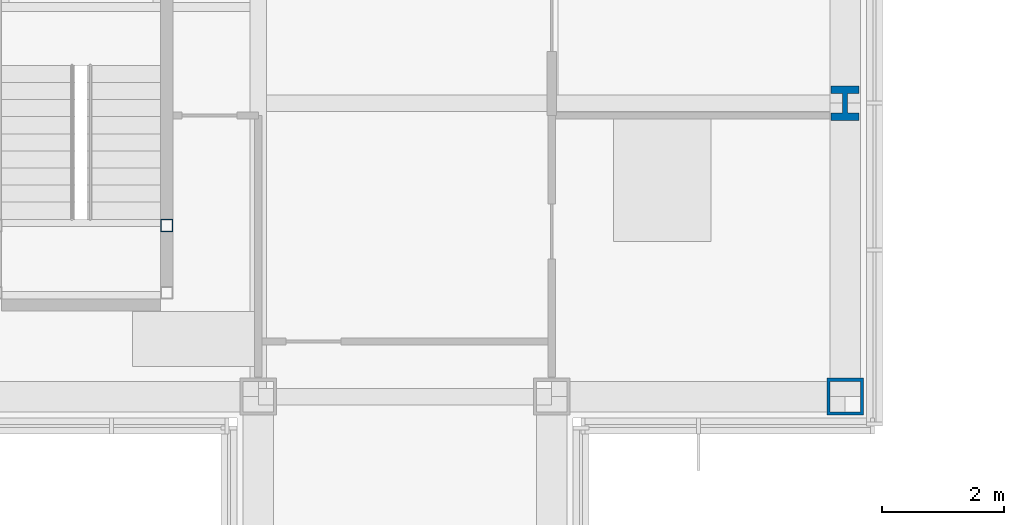
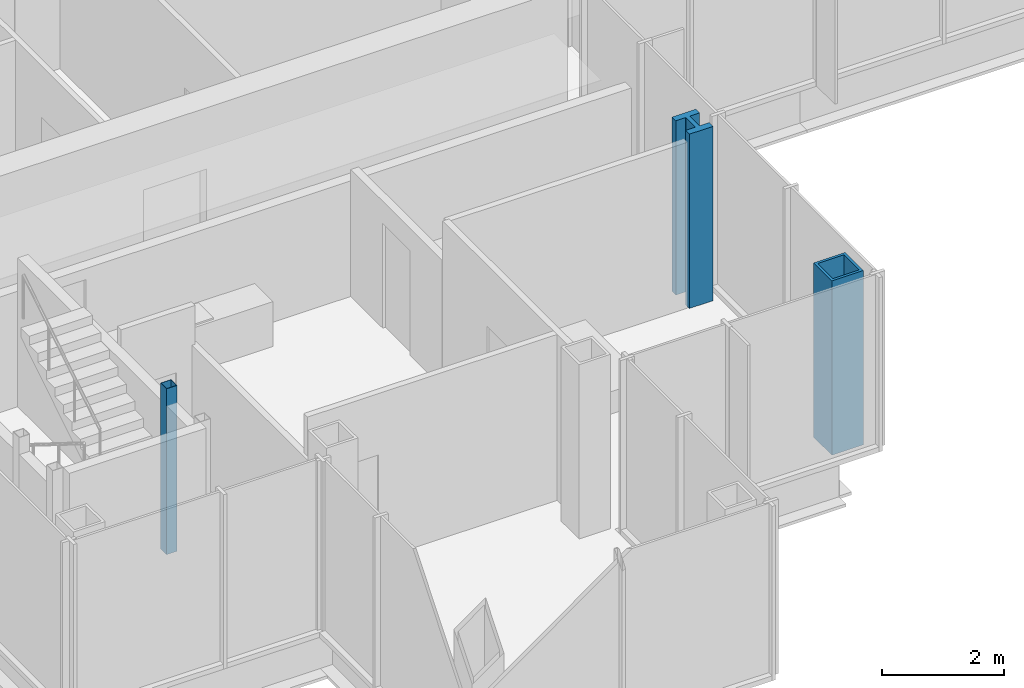
# One storey, part 2 of 15: 3 columns.
"""IFC4 building model written with IfcOpenShell, lengths in metres."""

import ifcopenshell
import ifcopenshell.guid

model = None  # the IFC model being written
_history = None  # IfcOwnerHistory: only IFC2X3 demands one
_inside = {}  # id of a spatial element -> (the spatial element, [elements in it])
_under = {}  # id of a project, library or spatial element -> (it, [spatial elements below it])
_declared = {}  # id of a project -> (the project, [libraries it declares])
_typed = {}  # id of a type object -> (the type object, [elements of that type])
_made_of = {}  # id of a material, layer set ... -> (it, [elements and type objects made of it])


def new_model(schema):
    """Start an empty IFC model of exactly this schema.

    Asked for "IFC4X3", IfcOpenShell would pick the latest addendum, in which some entities
    have other attributes; the version numbers below select the first issue.
    IFC2X3 requires an IfcOwnerHistory on every rooted entity: one is made here for all.
    """
    global model, _history
    if schema == "IFC4X3":
        model = ifcopenshell.file(schema_version=(4, 3, 0, 0))
    else:
        model = ifcopenshell.file(schema=schema)
    _inside.clear()
    _under.clear()
    _declared.clear()
    _typed.clear()
    _made_of.clear()
    _history = None
    if model.schema == "IFC2X3":
        org = make("IfcOrganization", Name="unknown")
        user = make(
            "IfcPersonAndOrganization",
            ThePerson=make("IfcPerson", FamilyName="unknown"),
            TheOrganization=org,
        )
        app = make(
            "IfcApplication",
            ApplicationDeveloper=org,
            Version="unknown",
            ApplicationFullName="unknown",
            ApplicationIdentifier="unknown",
        )
        _history = make(
            "IfcOwnerHistory",
            OwningUser=user,
            OwningApplication=app,
            ChangeAction="ADDED",
            CreationDate=0,
        )
    return model


def make(cls, **values):
    """One entity of the class cls with the attributes given. An attribute that is None is left unset."""
    return model.create_entity(
        cls, **{name: value for name, value in values.items() if value is not None}
    )


def rooted(cls, **values):
    """An entity with a GlobalId (a new one), such as an element, a storey or a relation."""
    return make(cls, GlobalId=ifcopenshell.guid.new(), OwnerHistory=_history, **values)


def si_unit(unit_type, name, prefix=None):
    """IfcSIUnit, for example si_unit("LENGTHUNIT", "METRE", prefix="MILLI")."""
    return make("IfcSIUnit", UnitType=unit_type, Prefix=prefix, Name=name)


def assignment(units):
    """IfcUnitAssignment: the units of a project."""
    return None if units is None else make("IfcUnitAssignment", Units=units)


def point(xyz):
    """IfcCartesianPoint."""
    return None if xyz is None else make("IfcCartesianPoint", Coordinates=xyz)


def direction(xyz):
    """IfcDirection."""
    return None if xyz is None else make("IfcDirection", DirectionRatios=xyz)


def frame(location, z_axis=None, x_axis=None):
    """IfcAxis2Placement3D, a coordinate frame: its origin and axes. An axis left out is left unset."""
    return make(
        "IfcAxis2Placement3D",
        Location=point(location),
        Axis=direction(z_axis),
        RefDirection=direction(x_axis),
    )


def frame_2d(location, x_axis=None):
    """IfcAxis2Placement2D, a coordinate frame in the plane: its origin and x axis."""
    return make(
        "IfcAxis2Placement2D", Location=point(location), RefDirection=direction(x_axis)
    )


def origin():
    """The frame at (0, 0, 0) with its axes left unset."""
    return frame((0.0, 0.0, 0.0))


def origin_2d():
    """The frame at (0, 0) in the plane with its x axis left unset."""
    return frame_2d((0.0, 0.0))


def place(relative_to, where):
    """IfcLocalPlacement: puts the frame where relative to a parent placement (None: the world)."""
    return make(
        "IfcLocalPlacement", PlacementRelTo=relative_to, RelativePlacement=where
    )


def context(
    kind, dimensions, precision=None, world=None, true_north=None, identifier=None
):
    """IfcGeometricRepresentationContext, for example the 3D "Model" context."""
    return make(
        "IfcGeometricRepresentationContext",
        ContextIdentifier=identifier,
        ContextType=kind,
        CoordinateSpaceDimension=dimensions,
        Precision=precision,
        WorldCoordinateSystem=world,
        TrueNorth=true_north,
    )


def subcontext(parent, identifier, kind, view, scale=None):
    """IfcGeometricRepresentationSubContext, for example "Body" below "Model"."""
    return make(
        "IfcGeometricRepresentationSubContext",
        ContextIdentifier=identifier,
        ContextType=kind,
        ParentContext=parent,
        TargetScale=scale,
        TargetView=view,
    )


def project(units=None, contexts=None):
    """IfcProject with its units and contexts."""
    return rooted(
        "IfcProject",
        Name="project",
        RepresentationContexts=contexts,
        UnitsInContext=assignment(units),
    )


def spatial(cls, under=None, at=None, **own):
    """A site, building, storey or space (cls), placed at a placement, below another one or the project."""
    s = rooted(cls, ObjectPlacement=at, **own)
    if under is not None:
        _under.setdefault(under.id(), (under, []))[1].append(s)
    return s


def profile(cls, at=None, kind="AREA", **sizes):
    """A parametric profile (cls). Its sizes go by their IFC names, for example OverallWidth=200.0."""
    return make(cls, ProfileType=kind, Position=at, **sizes)


def hollow_rectangle(**sizes):
    """IfcRectangleHollowProfileDef."""
    return profile("IfcRectangleHollowProfileDef", **sizes)


def i_section(**sizes):
    """IfcIShapeProfileDef."""
    return profile("IfcIShapeProfileDef", **sizes)


def extrude(swept, where, along, depth):
    """IfcExtrudedAreaSolid: the profile swept, set in the frame where, extruded along a direction by depth."""
    return make(
        "IfcExtrudedAreaSolid",
        SweptArea=swept,
        Position=where,
        ExtrudedDirection=direction(along),
        Depth=depth,
    )


def shape(context_of_items, identifier, shape_type, items):
    """IfcShapeRepresentation: the items that make up one representation, for example the "Body"."""
    return make(
        "IfcShapeRepresentation",
        ContextOfItems=context_of_items,
        RepresentationIdentifier=identifier,
        RepresentationType=shape_type,
        Items=items,
    )


def material(Name=None, Category=None):
    """IfcMaterial."""
    return make("IfcMaterial", Name=Name, Category=Category)


def material_profile(
    of_material, cross_section, Name=None, Category=None, Priority=None
):
    """IfcMaterialProfile: a cross section and its material."""
    return make(
        "IfcMaterialProfile",
        Name=Name,
        Material=of_material,
        Profile=cross_section,
        Priority=Priority,
        Category=Category,
    )


def profile_set(profiles, Name=None, composite=None):
    """IfcMaterialProfileSet."""
    return make(
        "IfcMaterialProfileSet",
        Name=Name,
        MaterialProfiles=profiles,
        CompositeProfile=composite,
    )


def made_of(thing, what):
    """Note that an element or type object is made of a material, layer set ...; save() writes the relation."""
    if what is not None:
        _made_of.setdefault(what.id(), (what, []))[1].append(thing)
    return thing


def type_object(cls, material=None, **own):
    """A type object (cls), such as IfcWallType, which elements share."""
    return made_of(rooted(cls, **own), material)


def element(
    cls,
    number,
    at=None,
    inside=None,
    cuts=None,
    type_object=None,
    material=None,
    context=None,
    identifier="Body",
    shape_type=None,
    held_by="IfcProductDefinitionShape",
    body=None,
    shapes=None,
    **own,
):
    """One element of the class cls, such as IfcWall. Its Tag is "e" and its number.

    at: its placement. inside: the storey or other place that contains it. cuts: it is an
    opening in that element (IfcRelVoidsElement). A single representation is given by context,
    identifier, shape_type and body (its items); several are given by shapes. held_by: the class
    of the entity that holds the representations. save() writes the other relations.
    """
    e = rooted(cls, Tag="e%d" % number, ObjectPlacement=at, **own)
    if body is not None:
        shapes = [shape(context, identifier, shape_type, body)]
    if shapes is not None:
        e.Representation = make(held_by, Representations=shapes)
    if inside is not None:
        _inside.setdefault(inside.id(), (inside, []))[1].append(e)
    if cuts is not None:
        rooted(
            "IfcRelVoidsElement", RelatingBuildingElement=cuts, RelatedOpeningElement=e
        )
    if type_object is not None:
        _typed.setdefault(type_object.id(), (type_object, []))[1].append(e)
    return made_of(e, material)


def aggregate(whole, parts):
    """IfcRelAggregates: a whole, such as a stair, and the parts it consists of."""
    return rooted("IfcRelAggregates", RelatingObject=whole, RelatedObjects=parts)


def save(model, path):
    """Write the relations noted so far, then the file.

    IfcRelAggregates (storeys below a building ...), IfcRelContainedInSpatialStructure (elements
    in a storey), IfcRelDefinesByType, IfcRelAssociatesMaterial and IfcRelDeclares: one each for
    every whole, place, type object, material and project.
    """
    for whole, parts in _under.values():
        aggregate(whole, parts)
    for where, things in _inside.values():
        rooted(
            "IfcRelContainedInSpatialStructure",
            RelatedElements=things,
            RelatingStructure=where,
        )
    for kind, things in _typed.values():
        rooted("IfcRelDefinesByType", RelatedObjects=things, RelatingType=kind)
    for what, things in _made_of.values():
        rooted("IfcRelAssociatesMaterial", RelatedObjects=things, RelatingMaterial=what)
    for by, libraries in _declared.values():
        rooted("IfcRelDeclares", RelatingContext=by, RelatedDefinitions=libraries)
    model.write(path)


model = new_model("IFC4")

# Units and contexts
model_context = context("Model", 3, precision=1e-05, world=origin(), true_north=direction((0.0, 1.0)))
body_context = subcontext(model_context, "Body", "Model", "MODEL_VIEW")
ifc_project = project(units=[si_unit("LENGTHUNIT", "METRE"), si_unit("AREAUNIT", "SQUARE_METRE"), si_unit("VOLUMEUNIT", "CUBIC_METRE"), si_unit("PLANEANGLEUNIT", "RADIAN"), si_unit("MASSUNIT", "GRAM", prefix="KILO")], contexts=[model_context])

# Site, building, storey
site_placement = place(None, origin())
site = spatial("IfcSite", under=ifc_project, at=site_placement, CompositionType="ELEMENT")
building_placement = place(site_placement, origin())
building = spatial("IfcBuilding", under=site, at=building_placement, Name="Kvirike Care Tower", CompositionType="ELEMENT")
storey_placement = place(building_placement, frame((0.0, 0.0, 201.5)))
storey = spatial("IfcBuildingStorey", under=building, at=storey_placement, Name="L55", CompositionType="ELEMENT", Elevation=201.5)

# Columns
ifc_material_1 = material(Name="Steel S460", Category="steel")
ifc_material_profile_1 = material_profile(ifc_material_1, hollow_rectangle(XDim=0.60009765625, YDim=0.60009765625, WallThickness=0.050048828125, at=origin_2d()), Name="BX 600x600x50")
ifc_profile_set_1 = profile_set([ifc_material_profile_1], Name="Steel S460")
column_type_1 = type_object("IfcColumnType", Name="COLUMN BX 600x600x50", PredefinedType="COLUMN", material=ifc_profile_set_1)
column_1_placement = place(storey_placement, frame((28.800048828125, 19.199951171875, 0.0), z_axis=(0.0, 0.0, 1.0), x_axis=(0.0, 1.0, 0.0)))
element("IfcColumn", 1, at=column_1_placement, inside=storey, type_object=column_type_1, Name="Column E9 L55", PredefinedType="COLUMN", context=body_context, shape_type="SweptSolid", body=[
    extrude(hollow_rectangle(XDim=0.60009765625, YDim=0.60009765625, WallThickness=0.050048828125, at=origin_2d()), origin(), (0.0, 0.0, 1.0), 3.5),
])
ifc_material_2 = material(Name="Steel S460", Category="steel")
ifc_material_profile_2 = material_profile(ifc_material_2, i_section(OverallWidth=0.4541015625, OverallDepth=0.569091796875, WebThickness=0.077880859375, FlangeThickness=0.125, FilletRadius=0.014892578125, at=origin_2d()), Name="HD 400x1086")
ifc_profile_set_2 = profile_set([ifc_material_profile_2], Name="Steel S460")
column_type_2 = type_object("IfcColumnType", Name="COLUMN HD 400x1086", PredefinedType="COLUMN", material=ifc_profile_set_2)
column_2_placement = place(storey_placement, frame((28.800048828125, 24.0, 0.0), z_axis=(0.0, 0.0, 1.0), x_axis=(1.0, 0.0, 0.0)))
element("IfcColumn", 2, at=column_2_placement, inside=storey, type_object=column_type_2, Name="Column F9 L55", PredefinedType="COLUMN", context=body_context, shape_type="SweptSolid", body=[
    extrude(i_section(OverallWidth=0.4541015625, OverallDepth=0.569091796875, WebThickness=0.077880859375, FlangeThickness=0.125, FilletRadius=0.014892578125, at=origin_2d()), origin(), (0.0, 0.0, 1.0), 3.5),
])
ifc_material_3 = material(Name="Steel S460", Category="steel")
ifc_material_profile_3 = material_profile(ifc_material_3, hollow_rectangle(XDim=0.199951171875, YDim=0.199951171875, WallThickness=0.008056640625, at=origin_2d()), Name="SHS 200x200x8")
ifc_profile_set_3 = profile_set([ifc_material_profile_3], Name="Steel S460")
column_type_3 = type_object("IfcColumnType", Name="STAIR POST SHS 200x200x8", PredefinedType="COLUMN", material=ifc_profile_set_3)
column_3_placement = place(storey_placement, frame((17.699951171875, 22.0, 0.0), z_axis=(0.0, 0.0, 1.0), x_axis=(1.0, 0.0, 0.0)))
element("IfcColumn", 3, at=column_3_placement, inside=storey, type_object=column_type_3, Name="Stair 5 post 4 L55", PredefinedType="COLUMN", context=body_context, shape_type="SweptSolid", body=[
    extrude(hollow_rectangle(XDim=0.199951171875, YDim=0.199951171875, WallThickness=0.008056640625, at=origin_2d()), origin(), (0.0, 0.0, 1.0), 3.330078125),
])

save(model, "model.ifc")
